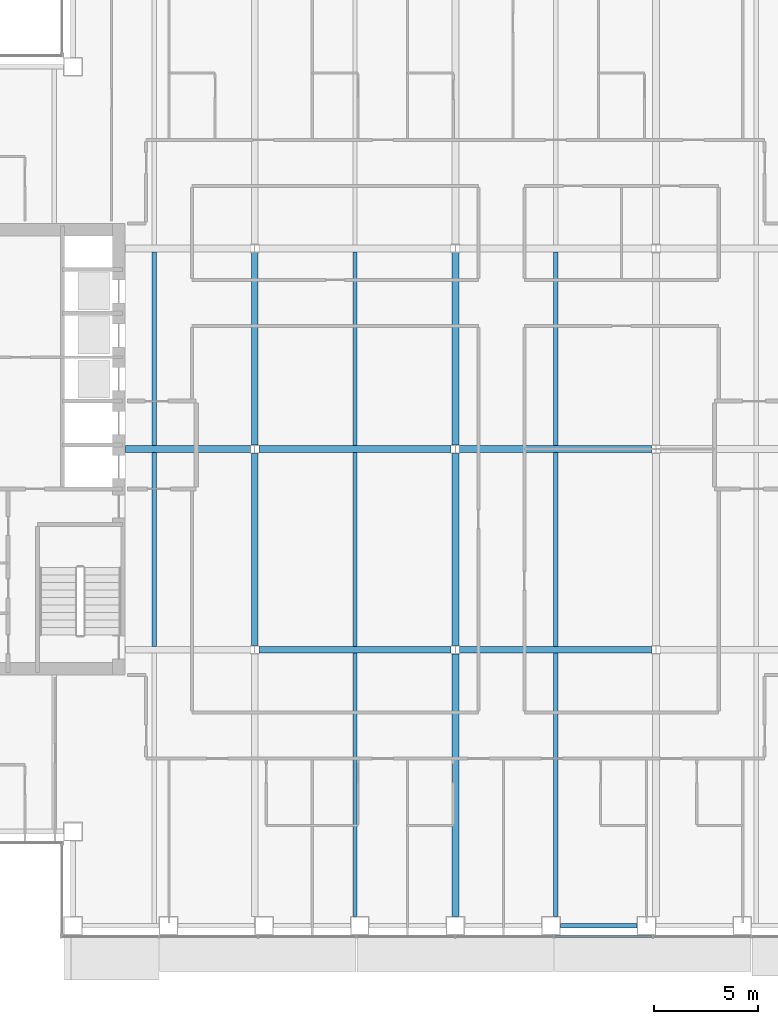
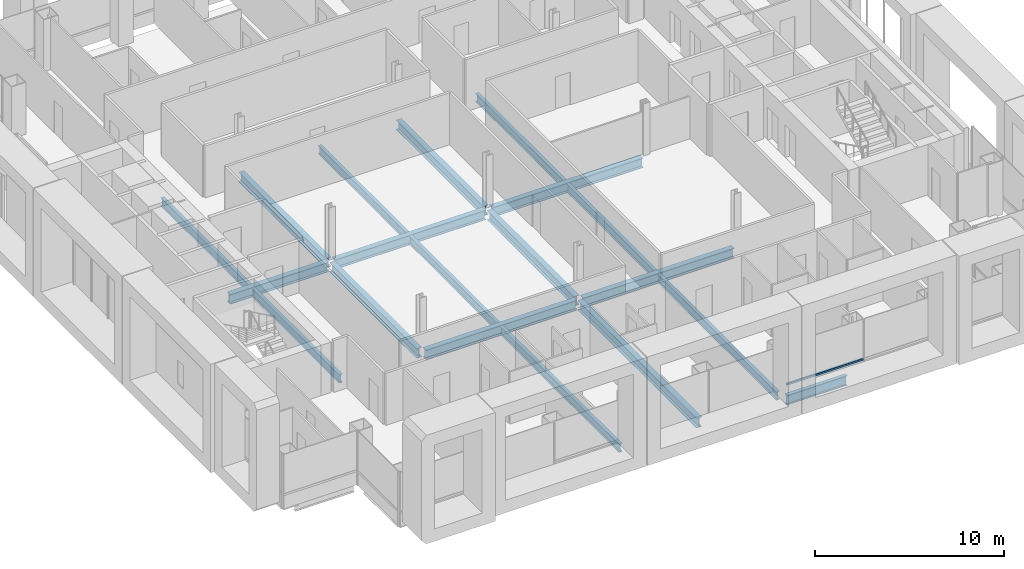
# One storey, part 3 of 20: 19 beams, 1 member, 1 element without a shape of its own.
"""IFC4 building model written with IfcOpenShell, lengths in metres."""

from ifc_helpers import new_model, si_unit, direction, frame, origin, origin_2d, place, context, subcontext, project, spatial, rectangle, i_section, extrude, material, material_profile, profile_set, type_object, element, aggregate, save


model = new_model("IFC4")

# Units and contexts
model_context = context("Model", 3, precision=1e-05, world=origin(), true_north=direction((0.0, 1.0)))
body_context = subcontext(model_context, "Body", "Model", "MODEL_VIEW")
ifc_project = project(units=[si_unit("LENGTHUNIT", "METRE"), si_unit("AREAUNIT", "SQUARE_METRE"), si_unit("VOLUMEUNIT", "CUBIC_METRE"), si_unit("PLANEANGLEUNIT", "RADIAN"), si_unit("MASSUNIT", "GRAM", prefix="KILO")], contexts=[model_context])

# Site, building, storey
site_placement = place(None, origin())
site = spatial("IfcSite", under=ifc_project, at=site_placement, CompositionType="ELEMENT")
building_placement = place(site_placement, origin())
building = spatial("IfcBuilding", under=site, at=building_placement, Name="Cobrizo Arcos Hotel Tower", CompositionType="ELEMENT")
storey_placement = place(building_placement, frame((0.0, 0.0, 96.0)))
storey = spatial("IfcBuildingStorey", under=building, at=storey_placement, Name="L23", CompositionType="ELEMENT", Elevation=96.0)

# Curtain wall, member
ifc_material_1 = material(Name="Aluminium 6063-T6 anodised bronze", Category="aluminium")
curtain_wall_type = type_object("IfcCurtainWallType", Name="CW-A guest facade", PredefinedType="NOTDEFINED", material=ifc_material_1)
curtain_wall_placement = place(storey_placement, origin())
curtain_wall = element("IfcCurtainWall", 1, at=curtain_wall_placement, inside=storey, type_object=curtain_wall_type, Name="CW-A L23 S face", PredefinedType="NOTDEFINED")
ifc_material_profile_1 = material_profile(ifc_material_1, rectangle(XDim=0.10009765625, YDim=0.1201171875, at=origin_2d()), Name="CW-A transom 120x100")
ifc_profile_set_1 = profile_set([ifc_material_profile_1], Name="Aluminium 6063-T6 anodised bronze")
member_type = type_object("IfcMemberType", Name="CW-A transom 120x100", PredefinedType="USERDEFINED", material=ifc_profile_set_1)
member_placement = place(storey_placement, frame((4.7548828125, -23.324951171875, 0.929931640625), z_axis=(1.0, 0.0, 0.0), x_axis=(0.0, 1.0, 0.0)))
member = element("IfcMember", 2, at=member_placement, type_object=member_type, Name="CW-A transom 920", ObjectType="TRANSOM", PredefinedType="USERDEFINED", context=body_context, shape_type="SweptSolid", body=[
    extrude(rectangle(XDim=0.10009765625, YDim=0.1201171875, at=origin_2d()), origin(), (0.0, 0.0, 1.0), 4.6650390625),
])
aggregate(curtain_wall, [member])

# Beams
ifc_material_2 = material(Name="Steel ASTM A992 Grade 50", Category="steel")
ifc_material_profile_2 = material_profile(ifc_material_2, i_section(OverallWidth=0.209228515625, OverallDepth=0.533447265625, WebThickness=0.01025390625, FlangeThickness=0.015625, at=origin_2d()), Name="W21X62")
ifc_profile_set_2 = profile_set([ifc_material_profile_2], Name="Steel ASTM A992 Grade 50")
beam_type_1 = type_object("IfcBeamType", Name="W21X62 joist", PredefinedType="JOIST", material=ifc_profile_set_2)
for number, where, z_axis, x_axis, name in (
    (3, (-14.39990234375, -9.43603515625, -0.416748046875), (0.0, 1.0, 0.0), (-1.0, 0.0, 0.0), "Floor joist J1, L23, no. 004"),
    (4, (-14.39990234375, 0.163818359375, -0.416748046875), (0.0, 1.0, 0.0), (-1.0, 0.0, 0.0), "Floor joist J1, L23, no. 005"),
):
    element("IfcBeam", number, at=place(storey_placement, frame(where, z_axis=z_axis, x_axis=x_axis)), inside=storey, type_object=beam_type_1, Name=name, PredefinedType="JOIST", context=body_context, shape_type="SweptSolid", body=[
        extrude(i_section(OverallWidth=0.209228515625, OverallDepth=0.533447265625, WebThickness=0.01025390625, FlangeThickness=0.015625, at=origin_2d()), origin(), (0.0, 0.0, 1.0), 9.272216796875),
    ])
beam_1_placement = place(storey_placement, frame((-4.800048828125, -22.35009765625, -0.416748046875), z_axis=(0.0, 1.0, 0.0), x_axis=(-1.0, 0.0, 0.0)))
element("IfcBeam", 5, at=beam_1_placement, inside=storey, type_object=beam_type_1, Name="Floor joist J1, L23, no. 007", PredefinedType="JOIST", context=body_context, shape_type="SweptSolid", body=[
    extrude(i_section(OverallWidth=0.209228515625, OverallDepth=0.533447265625, WebThickness=0.01025390625, FlangeThickness=0.015625, at=origin_2d()), origin(), (0.0, 0.0, 1.0), 12.586181640625),
])
for number, where, z_axis, x_axis, name in (
    (6, (-4.800048828125, -9.43603515625, -0.416748046875), (0.0, 1.0, 0.0), (-1.0, 0.0, 0.0), "Floor joist J1, L23, no. 008"),
    (7, (-4.800048828125, 0.163818359375, -0.416748046875), (0.0, 1.0, 0.0), (-1.0, 0.0, 0.0), "Floor joist J1, L23, no. 009"),
):
    element("IfcBeam", number, at=place(storey_placement, frame(where, z_axis=z_axis, x_axis=x_axis)), inside=storey, type_object=beam_type_1, Name=name, PredefinedType="JOIST", context=body_context, shape_type="SweptSolid", body=[
        extrude(i_section(OverallWidth=0.209228515625, OverallDepth=0.533447265625, WebThickness=0.01025390625, FlangeThickness=0.015625, at=origin_2d()), origin(), (0.0, 0.0, 1.0), 9.272216796875),
    ])
beam_2_placement = place(storey_placement, frame((4.800048828125, -22.35009765625, -0.416748046875), z_axis=(0.0, 1.0, 0.0), x_axis=(-1.0, 0.0, 0.0)))
element("IfcBeam", 8, at=beam_2_placement, inside=storey, type_object=beam_type_1, Name="Floor joist J1, L23, no. 011", PredefinedType="JOIST", context=body_context, shape_type="SweptSolid", body=[
    extrude(i_section(OverallWidth=0.209228515625, OverallDepth=0.533447265625, WebThickness=0.01025390625, FlangeThickness=0.015625, at=origin_2d()), origin(), (0.0, 0.0, 1.0), 12.586181640625),
])
for number, where, z_axis, x_axis, name in (
    (9, (4.800048828125, -9.43603515625, -0.416748046875), (0.0, 1.0, 0.0), (-1.0, 0.0, 0.0), "Floor joist J1, L23, no. 012"),
    (10, (4.800048828125, 0.163818359375, -0.416748046875), (0.0, 1.0, 0.0), (-1.0, 0.0, 0.0), "Floor joist J1, L23, no. 013"),
):
    element("IfcBeam", number, at=place(storey_placement, frame(where, z_axis=z_axis, x_axis=x_axis)), inside=storey, type_object=beam_type_1, Name=name, PredefinedType="JOIST", context=body_context, shape_type="SweptSolid", body=[
        extrude(i_section(OverallWidth=0.209228515625, OverallDepth=0.533447265625, WebThickness=0.01025390625, FlangeThickness=0.015625, at=origin_2d()), origin(), (0.0, 0.0, 1.0), 9.272216796875),
    ])
ifc_material_profile_3 = material_profile(ifc_material_2, i_section(OverallWidth=0.32763671875, OverallDepth=0.622314453125, WebThickness=0.015380859375, FlangeThickness=0.0244140625, at=origin_2d()), Name="W24X131")
ifc_profile_set_3 = profile_set([ifc_material_profile_3], Name="Steel ASTM A992 Grade 50")
beam_type_2 = type_object("IfcBeamType", Name="W24X131 girder", PredefinedType="BEAM", material=ifc_profile_set_3)
for number, where, z_axis, x_axis, name in (
    (11, (-9.400634765625, -9.60009765625, -0.461181640625), (1.0, 0.0, 0.0), (0.0, 1.0, 0.0), "Floor girder G1, L23, no. 002"),
    (12, (0.199462890625, -9.60009765625, -0.461181640625), (1.0, 0.0, 0.0), (0.0, 1.0, 0.0), "Floor girder G1, L23, no. 003"),
):
    element("IfcBeam", number, at=place(storey_placement, frame(where, z_axis=z_axis, x_axis=x_axis)), inside=storey, type_object=beam_type_2, Name=name, PredefinedType="BEAM", context=body_context, shape_type="SweptSolid", body=[
        extrude(i_section(OverallWidth=0.32763671875, OverallDepth=0.622314453125, WebThickness=0.015380859375, FlangeThickness=0.0244140625, at=origin_2d()), origin(), (0.0, 0.0, 1.0), 9.201171875),
    ])
beam_3_placement = place(storey_placement, frame((-15.7900390625, 0.0, -0.461181640625), z_axis=(1.0, 0.0, 0.0), x_axis=(0.0, 1.0, 0.0)))
element("IfcBeam", 13, at=beam_3_placement, inside=storey, type_object=beam_type_2, Name="Floor girder G1, L23, no. 005", PredefinedType="BEAM", context=body_context, shape_type="SweptSolid", body=[
    extrude(i_section(OverallWidth=0.32763671875, OverallDepth=0.622314453125, WebThickness=0.015380859375, FlangeThickness=0.0244140625, at=origin_2d()), origin(), (0.0, 0.0, 1.0), 5.99072265625),
])
for number, where, z_axis, x_axis, name in (
    (14, (-9.400634765625, 0.0, -0.461181640625), (1.0, 0.0, 0.0), (0.0, 1.0, 0.0), "Floor girder G1, L23, no. 006"),
    (15, (0.199462890625, 0.0, -0.461181640625), (1.0, 0.0, 0.0), (0.0, 1.0, 0.0), "Floor girder G1, L23, no. 007"),
    (16, (-9.60009765625, -9.400634765625, -0.461181640625), (0.0, 1.0, 0.0), (-1.0, 0.0, 0.0), "Floor girder G1, L23, no. 014"),
    (17, (-9.60009765625, 0.199462890625, -0.461181640625), (0.0, 1.0, 0.0), (-1.0, 0.0, 0.0), "Floor girder G1, L23, no. 015"),
):
    element("IfcBeam", number, at=place(storey_placement, frame(where, z_axis=z_axis, x_axis=x_axis)), inside=storey, type_object=beam_type_2, Name=name, PredefinedType="BEAM", context=body_context, shape_type="SweptSolid", body=[
        extrude(i_section(OverallWidth=0.32763671875, OverallDepth=0.622314453125, WebThickness=0.015380859375, FlangeThickness=0.0244140625, at=origin_2d()), origin(), (0.0, 0.0, 1.0), 9.201171875),
    ])
beam_4_placement = place(storey_placement, frame((0.0, -22.35009765625, -0.461181640625), z_axis=(0.0, 1.0, 0.0), x_axis=(-1.0, 0.0, 0.0)))
element("IfcBeam", 18, at=beam_4_placement, inside=storey, type_object=beam_type_2, Name="Floor girder G1, L23, no. 017", PredefinedType="BEAM", context=body_context, shape_type="SweptSolid", body=[
    extrude(i_section(OverallWidth=0.32763671875, OverallDepth=0.622314453125, WebThickness=0.015380859375, FlangeThickness=0.0244140625, at=origin_2d()), origin(), (0.0, 0.0, 1.0), 12.55078125),
])
for number, where, z_axis, x_axis, name in (
    (19, (0.0, -9.400634765625, -0.461181640625), (0.0, 1.0, 0.0), (-1.0, 0.0, 0.0), "Floor girder G1, L23, no. 018"),
    (20, (0.0, 0.199462890625, -0.461181640625), (0.0, 1.0, 0.0), (-1.0, 0.0, 0.0), "Floor girder G1, L23, no. 019"),
):
    element("IfcBeam", number, at=place(storey_placement, frame(where, z_axis=z_axis, x_axis=x_axis)), inside=storey, type_object=beam_type_2, Name=name, PredefinedType="BEAM", context=body_context, shape_type="SweptSolid", body=[
        extrude(i_section(OverallWidth=0.32763671875, OverallDepth=0.622314453125, WebThickness=0.015380859375, FlangeThickness=0.0244140625, at=origin_2d()), origin(), (0.0, 0.0, 1.0), 9.201171875),
    ])
ifc_material_profile_4 = material_profile(ifc_material_2, i_section(OverallWidth=0.23046875, OverallDepth=0.6171875, WebThickness=0.01318359375, FlangeThickness=0.022216796875, at=origin_2d()), Name="W24X94")
ifc_profile_set_4 = profile_set([ifc_material_profile_4], Name="Steel ASTM A992 Grade 50")
beam_type_3 = type_object("IfcBeamType", Name="W24X94 spandrel", PredefinedType="SPANDREL", material=ifc_profile_set_4)
beam_5_placement = place(storey_placement, frame((5.02490234375, -22.800048828125, -0.45849609375), z_axis=(1.0, 0.0, 0.0), x_axis=(0.0, 1.0, 0.0)))
element("IfcBeam", 21, at=beam_5_placement, inside=storey, type_object=beam_type_3, Name="Spandrel beam W24X94, L23, no. 006", PredefinedType="SPANDREL", context=body_context, shape_type="SweptSolid", body=[
    extrude(i_section(OverallWidth=0.23046875, OverallDepth=0.6171875, WebThickness=0.01318359375, FlangeThickness=0.022216796875, at=origin_2d()), origin(), (0.0, 0.0, 1.0), 3.675048828125),
])

save(model, "model.ifc")
